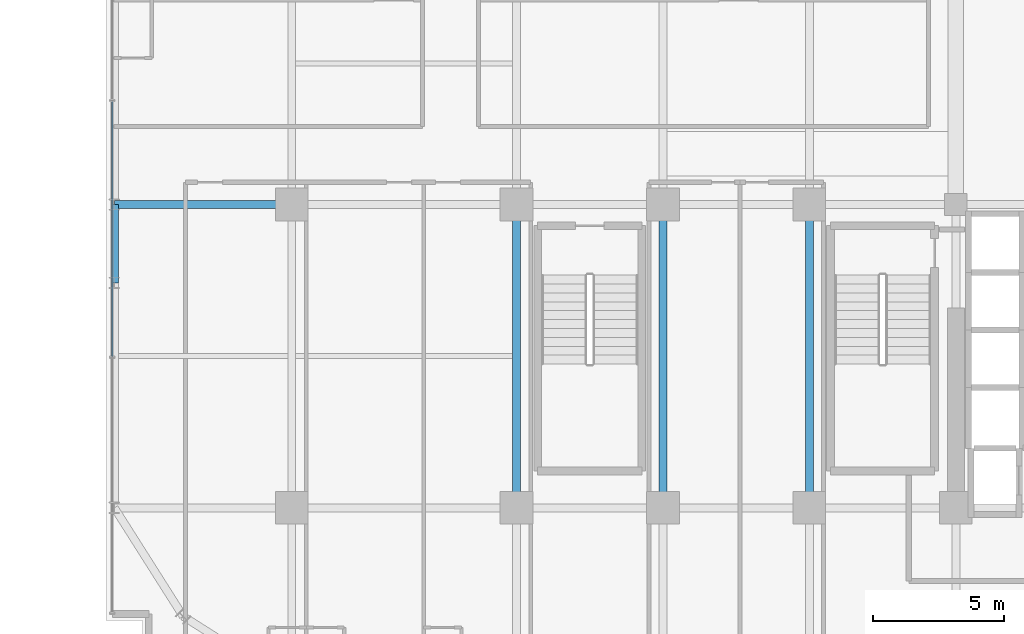
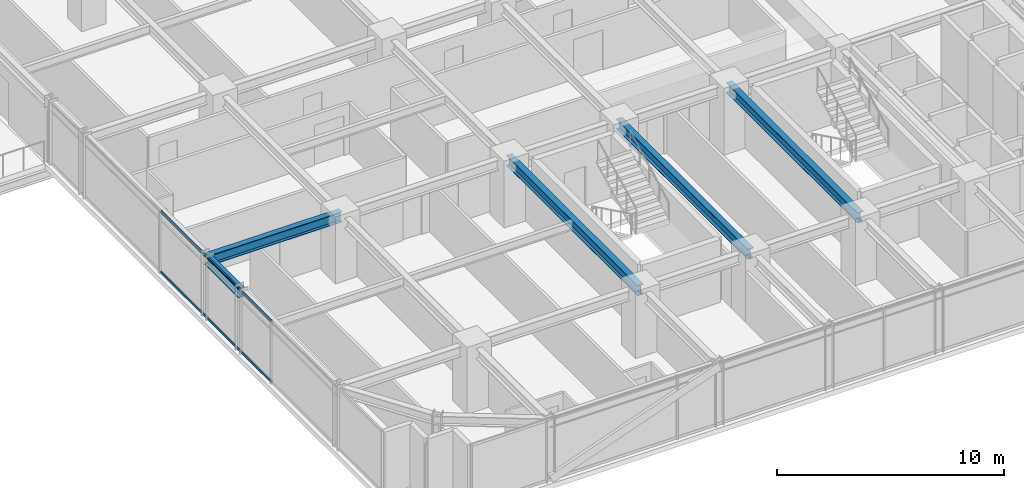
# One storey, part 7 of 39: 5 beams, 2 members, 1 element without a shape of its own.
"""IFC4 building model written with IfcOpenShell, lengths in metres."""

from ifc_helpers import new_model, si_unit, direction, frame, origin, origin_2d, place, context, subcontext, project, spatial, hollow_rectangle, i_section, extrude, source, transform, mapped, material, material_profile, profile_set, type_object, element, aggregate, save


model = new_model("IFC4")

# Units and contexts
model_context = context("Model", 3, precision=1e-05, world=origin(), true_north=direction((0.0, 1.0)))
body_context = subcontext(model_context, "Body", "Model", "MODEL_VIEW")
ifc_project = project(units=[si_unit("LENGTHUNIT", "METRE"), si_unit("AREAUNIT", "SQUARE_METRE"), si_unit("VOLUMEUNIT", "CUBIC_METRE"), si_unit("PLANEANGLEUNIT", "RADIAN"), si_unit("MASSUNIT", "GRAM", prefix="KILO")], contexts=[model_context])

# Site, building, storey
site_placement = place(None, origin())
site = spatial("IfcSite", under=ifc_project, at=site_placement, CompositionType="ELEMENT")
building_placement = place(site_placement, origin())
building = spatial("IfcBuilding", under=site, at=building_placement, Name="Nahalor Promenade Grand Hotel", CompositionType="ELEMENT")
storey_placement = place(building_placement, frame((0.0, 0.0, 135.75)))
storey = spatial("IfcBuildingStorey", under=building, at=storey_placement, Name="L34", CompositionType="ELEMENT", Elevation=135.75)

# Beams
ifc_material_1 = material(Name="Steel S355JR", Category="steel")
ifc_material_profile_1 = material_profile(ifc_material_1, i_section(OverallWidth=0.3, OverallDepth=0.5, WebThickness=0.0145, FlangeThickness=0.028, at=origin_2d()), Name="HEB 500")
ifc_profile_set_1 = profile_set([ifc_material_profile_1], Name="Steel S355JR")
beam_type_1 = type_object("IfcBeamType", Name="Beam-Spandrel-HEB500", PredefinedType="SPANDREL", material=ifc_profile_set_1)
shared_shape_1 = source(origin(), body_context, "Body", "SweptSolid", [
    extrude(i_section(OverallWidth=0.3, OverallDepth=0.5, WebThickness=0.0145, FlangeThickness=0.028, at=origin_2d()), origin(), (0.0, 0.0, 1.0), 3.0),
])
beam_1_placement = place(storey_placement, frame((-23.780029296875, -8.39990234375, 3.1298828125), z_axis=(0.0, 1.0, 0.0), x_axis=(-1.0, 0.0, 0.0)))
element("IfcBeam", 1, at=beam_1_placement, inside=storey, type_object=beam_type_1, Name="BM-L34-SP-W-1", PredefinedType="SPANDREL", context=body_context, shape_type="MappedRepresentation", body=[
    mapped(shared_shape_1, transform((0.0, 0.0, 0.0), scale=1.0)),
])
ifc_material_profile_2 = material_profile(ifc_material_1, i_section(OverallWidth=0.3, OverallDepth=0.55, WebThickness=0.015, FlangeThickness=0.029, at=origin_2d()), Name="HEB 550")
ifc_profile_set_2 = profile_set([ifc_material_profile_2], Name="Steel S355JR")
beam_type_2 = type_object("IfcBeamType", Name="Beam-Girder-HEB550", PredefinedType="BEAM", material=ifc_profile_set_2)
shared_shape_2 = source(origin(), body_context, "Body", "SweptSolid", [
    extrude(i_section(OverallWidth=0.3, OverallDepth=0.55, WebThickness=0.015, FlangeThickness=0.029, at=origin_2d()), origin(), (0.0, 0.0, 1.0), 6.780029296875),
])
beam_2_placement = place(storey_placement, frame((-23.780029296875, -5.39990234375, 3.10498046875), z_axis=(1.0, 0.0, 0.0), x_axis=(0.0, 1.0, 0.0)))
element("IfcBeam", 2, at=beam_2_placement, inside=storey, type_object=beam_type_2, Name="BM-L34-GX-1-0", PredefinedType="BEAM", context=body_context, shape_type="MappedRepresentation", body=[
    mapped(shared_shape_2, transform((0.0, 0.0, 0.0), scale=1.0)),
])
shared_shape_3 = source(origin(), body_context, "Body", "SweptSolid", [
    extrude(i_section(OverallWidth=0.3, OverallDepth=0.55, WebThickness=0.015, FlangeThickness=0.029, at=origin_2d()), origin(), (0.0, 0.0, 1.0), 11.60009765625),
])
for number, where, z_axis, x_axis, name in (
    (3, (-8.39990234375, -17.0, 3.10498046875), (0.0, 1.0, 0.0), (-1.0, 0.0, 0.0), "BM-L34-GY-1-1"),
    (4, (-2.800048828125, -17.0, 3.10498046875), (0.0, 1.0, 0.0), (-1.0, 0.0, 0.0), "BM-L34-GY-2-1"),
    (5, (2.800048828125, -17.0, 3.10498046875), (0.0, 1.0, 0.0), (-1.0, 0.0, 0.0), "BM-L34-GY-3-1"),
):
    element("IfcBeam", number, at=place(storey_placement, frame(where, z_axis=z_axis, x_axis=x_axis)), inside=storey, type_object=beam_type_2, Name=name, PredefinedType="BEAM", context=body_context, shape_type="MappedRepresentation", body=[
        mapped(shared_shape_3, transform((0.0, 0.0, 0.0), scale=1.0)),
    ])

# Curtain wall, members
ifc_material_2 = material(Name="Anodised Bronze Aluminium EN AW-6063 T6", Category="aluminium")
curtain_wall_type = type_object("IfcCurtainWallType", Name="CW2 Typical Hotel Flush Bronze Unitised Curtain Wall", PredefinedType="USERDEFINED", material=ifc_material_2)
curtain_wall_placement = place(storey_placement, origin())
curtain_wall = element("IfcCurtainWall", 6, at=curtain_wall_placement, inside=storey, type_object=curtain_wall_type, Name="L34 Curtain Wall CW-L34-W-1", ObjectType="UNITISED_CURTAIN_WALL", PredefinedType="USERDEFINED")
ifc_material_profile_3 = material_profile(ifc_material_2, hollow_rectangle(XDim=0.065, YDim=0.13, WallThickness=0.004, at=origin_2d()), Name="CWT 65x130x4")
ifc_profile_set_3 = profile_set([ifc_material_profile_3], Name="Anodised Bronze Aluminium EN AW-6063 T6")
member_type = type_object("IfcMemberType", Name="CWT2 Typical Bronze Transom 65x130", PredefinedType="USERDEFINED", material=ifc_profile_set_3)
shared_shape_4 = source(origin(), body_context, "Body", "SweptSolid", [
    extrude(hollow_rectangle(XDim=0.065, YDim=0.13, WallThickness=0.004, at=origin_2d()), origin(), (0.0, 0.0, 1.0), 9.755126953125),
])
member_1_placement = place(storey_placement, frame((-23.860107421875, -11.20751953125, 0.06494140625), z_axis=(0.0, 1.0, 0.0), x_axis=(-1.0, 0.0, 0.0)))
member_1 = element("IfcMember", 7, at=member_1_placement, type_object=member_type, Name="CW-L34-W-1 Transom 1-0", ObjectType="TRANSOM", PredefinedType="USERDEFINED", context=body_context, shape_type="MappedRepresentation", body=[
    mapped(shared_shape_4, transform((0.0, 0.0, 0.0), scale=1.0)),
])
member_2_placement = place(storey_placement, frame((-23.860107421875, -11.20751953125, 3.31494140625), z_axis=(0.0, 1.0, 0.0), x_axis=(-1.0, 0.0, 0.0)))
member_2 = element("IfcMember", 8, at=member_2_placement, type_object=member_type, Name="CW-L34-W-1 Transom 1-1", ObjectType="TRANSOM", PredefinedType="USERDEFINED", context=body_context, shape_type="MappedRepresentation", body=[
    mapped(shared_shape_4, transform((0.0, 0.0, 0.0), scale=1.0)),
])
aggregate(curtain_wall, [member_1, member_2])

save(model, "model.ifc")
